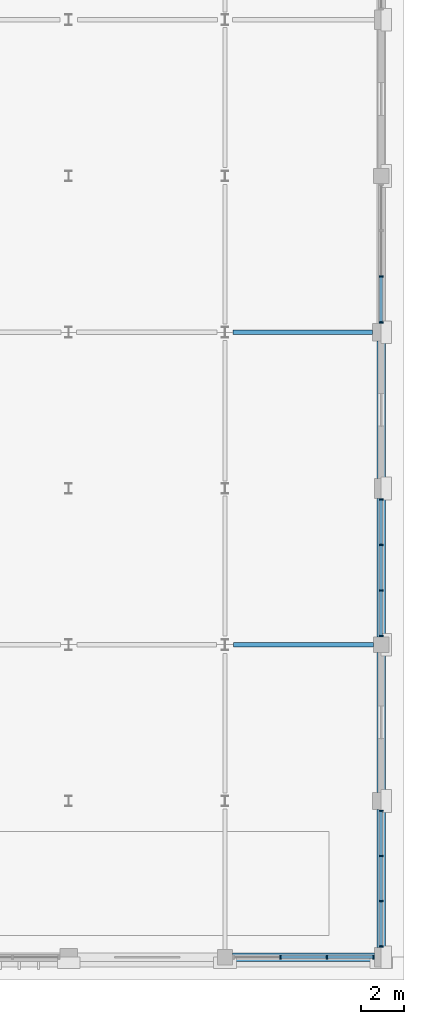
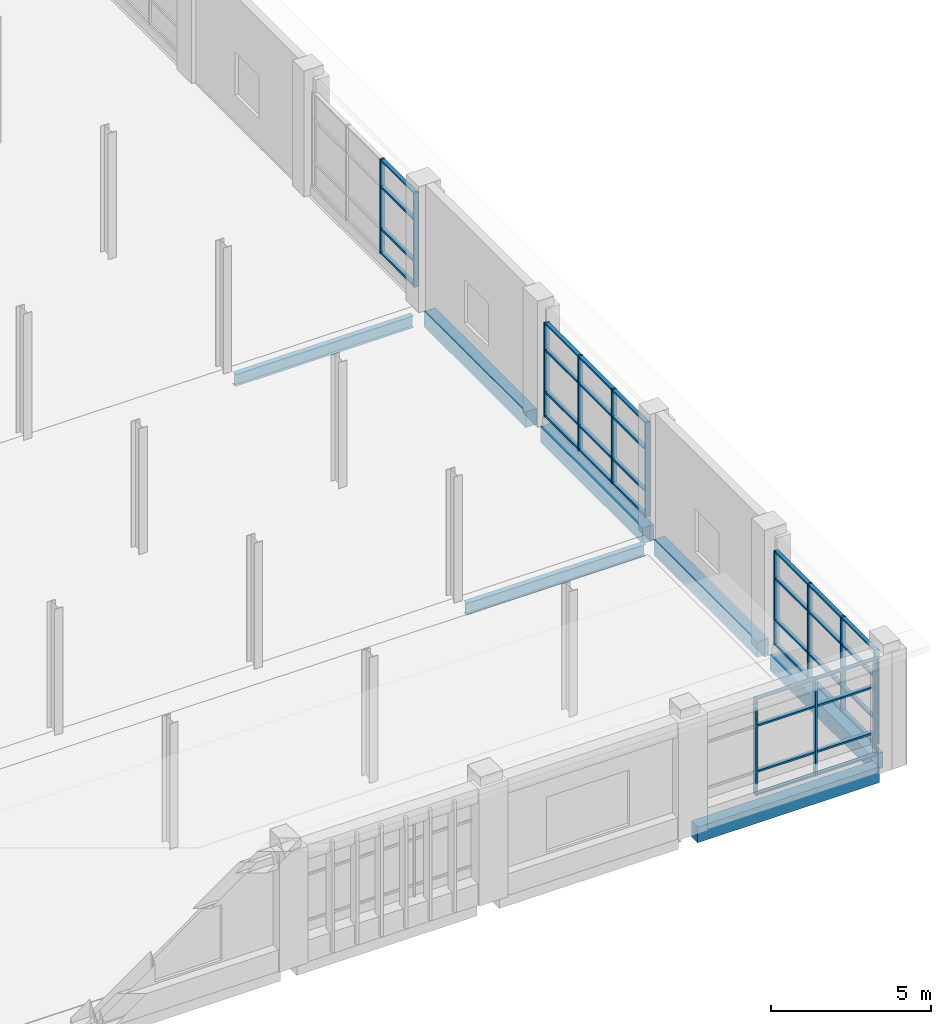
# One storey, part 41 of 82: 49 members, 7 beams, 4 elements without a shape of their own.
"""IFC4 building model written with IfcOpenShell, lengths in metres."""

from ifc_helpers import new_model, si_unit, direction, frame, origin, origin_2d, place, context, subcontext, project, spatial, rectangle, i_section, extrude, material, material_profile, profile_set, type_object, element, aggregate, save


model = new_model("IFC4")

# Units and contexts
model_context = context("Model", 3, precision=1e-05, world=origin(), true_north=direction((0.0, 1.0)))
body_context = subcontext(model_context, "Body", "Model", "MODEL_VIEW")
ifc_project = project(units=[si_unit("LENGTHUNIT", "METRE"), si_unit("AREAUNIT", "SQUARE_METRE"), si_unit("VOLUMEUNIT", "CUBIC_METRE"), si_unit("PLANEANGLEUNIT", "RADIAN"), si_unit("MASSUNIT", "GRAM", prefix="KILO")], contexts=[model_context])

# Site, building, storey
site_placement = place(None, origin())
site = spatial("IfcSite", under=ifc_project, at=site_placement, CompositionType="ELEMENT")
building_placement = place(site_placement, origin())
building = spatial("IfcBuilding", under=site, at=building_placement, Name="Sardonyx Promenade Sports Hall", CompositionType="ELEMENT")
storey_placement = place(building_placement, frame((0.0, 0.0, 11.199951171875)))
storey = spatial("IfcBuildingStorey", under=building, at=storey_placement, Name="L02", CompositionType="ELEMENT", Elevation=11.199951171875)

# Beams
ifc_material_1 = material(Name="Steel S355JR", Category="steel")
ifc_material_profile_1 = material_profile(ifc_material_1, i_section(OverallWidth=0.18994140625, OverallDepth=0.453369140625, WebThickness=0.008544921875, FlangeThickness=0.0126953125, at=origin_2d()))
ifc_profile_set_1 = profile_set([ifc_material_profile_1], Name="Steel S355JR")
beam_type_1 = type_object("IfcBeamType", Name="Bm_Girder_UB457", PredefinedType="BEAM", material=ifc_profile_set_1)
beam_1_placement = place(storey_placement, frame((158.800048828125, 14.39990234375, -0.5166015625), z_axis=(1.0, 0.0, 0.0), x_axis=(0.0, 1.0, 0.0)))
element("IfcBeam", 1, at=beam_1_placement, inside=storey, type_object=beam_type_1, Name="Beam SB01 L02 #492", PredefinedType="BEAM", context=body_context, shape_type="SweptSolid", body=[
    extrude(i_section(OverallWidth=0.18994140625, OverallDepth=0.453369140625, WebThickness=0.008544921875, FlangeThickness=0.0126953125, at=origin_2d()), origin(), (0.0, 0.0, 1.0), 6.449951171875),
])
beam_2_placement = place(storey_placement, frame((158.77490234375, 28.800048828125, -0.5166015625), z_axis=(1.0, 0.0, 0.0), x_axis=(0.0, 1.0, 0.0)))
element("IfcBeam", 2, at=beam_2_placement, inside=storey, type_object=beam_type_1, Name="Beam SB01 L02 #515", PredefinedType="BEAM", context=body_context, shape_type="SweptSolid", body=[
    extrude(i_section(OverallWidth=0.18994140625, OverallDepth=0.453369140625, WebThickness=0.008544921875, FlangeThickness=0.0126953125, at=origin_2d()), origin(), (0.0, 0.0, 1.0), 6.425048828125),
])
ifc_material_2 = material(Name="Concrete C40/50", Category="concrete")
ifc_material_profile_2 = material_profile(ifc_material_2, rectangle(XDim=0.39990234375, YDim=0.60009765625, at=origin_2d()))
ifc_profile_set_2 = profile_set([ifc_material_profile_2], Name="Concrete C40/50")
beam_type_2 = type_object("IfcBeamType", Name="Bm_Spandrel_RC600", PredefinedType="SPANDREL", material=ifc_profile_set_2)
beam_3_placement = place(storey_placement, frame((158.75, 0.0, -0.300048828125), z_axis=(1.0, 0.0, 0.0), x_axis=(0.0, 1.0, 0.0)))
element("IfcBeam", 3, at=beam_3_placement, inside=storey, type_object=beam_type_2, Name="Beam SPB1 L02 #469", PredefinedType="SPANDREL", context=body_context, shape_type="SweptSolid", body=[
    extrude(rectangle(XDim=0.39990234375, YDim=0.60009765625, at=origin_2d()), origin(), (0.0, 0.0, 1.0), 6.550048828125),
])
beam_4_placement = place(storey_placement, frame((165.60009765625, 0.449951171875, -0.300048828125), z_axis=(0.0, 1.0, 0.0), x_axis=(-1.0, 0.0, 0.0)))
element("IfcBeam", 4, at=beam_4_placement, inside=storey, type_object=beam_type_2, Name="Beam SPB1 L02 #694", PredefinedType="SPANDREL", context=body_context, shape_type="SweptSolid", body=[
    extrude(rectangle(XDim=0.39990234375, YDim=0.60009765625, at=origin_2d()), origin(), (0.0, 0.0, 1.0), 6.35009765625),
])
beam_5_placement = place(storey_placement, frame((165.60009765625, 7.60009765625, -0.300048828125), z_axis=(0.0, 1.0, 0.0), x_axis=(-1.0, 0.0, 0.0)))
element("IfcBeam", 5, at=beam_5_placement, inside=storey, type_object=beam_type_2, Name="Beam SPB1 L02 #695", PredefinedType="SPANDREL", context=body_context, shape_type="SweptSolid", body=[
    extrude(rectangle(XDim=0.39990234375, YDim=0.60009765625, at=origin_2d()), origin(), (0.0, 0.0, 1.0), 6.449951171875),
])
beam_6_placement = place(storey_placement, frame((165.60009765625, 14.75, -0.300048828125), z_axis=(0.0, 1.0, 0.0), x_axis=(-1.0, 0.0, 0.0)))
element("IfcBeam", 6, at=beam_6_placement, inside=storey, type_object=beam_type_2, Name="Beam SPB1 L02 #696", PredefinedType="SPANDREL", context=body_context, shape_type="SweptSolid", body=[
    extrude(rectangle(XDim=0.39990234375, YDim=0.60009765625, at=origin_2d()), origin(), (0.0, 0.0, 1.0), 6.39990234375),
])
beam_7_placement = place(storey_placement, frame((165.60009765625, 22.050048828125, -0.300048828125), z_axis=(0.0, 1.0, 0.0), x_axis=(-1.0, 0.0, 0.0)))
element("IfcBeam", 7, at=beam_7_placement, inside=storey, type_object=beam_type_2, Name="Beam SPB1 L02 #697", PredefinedType="SPANDREL", context=body_context, shape_type="SweptSolid", body=[
    extrude(rectangle(XDim=0.39990234375, YDim=0.60009765625, at=origin_2d()), origin(), (0.0, 0.0, 1.0), 6.349853515625),
])

# Curtain wall, members
ifc_material_3 = material(Name="Aluminium 6063-T6", Category="aluminium")
curtain_wall_type_1 = type_object("IfcCurtainWallType", Name="CW_South_L02_640", PredefinedType="USERDEFINED", material=ifc_material_3)
curtain_wall_1_placement = place(storey_placement, origin())
curtain_wall_1 = element("IfcCurtainWall", 8, at=curtain_wall_1_placement, inside=storey, type_object=curtain_wall_type_1, Name="Curtain wall CW01 cw:L02:029", ObjectType="CURTAIN WALL", PredefinedType="USERDEFINED")
ifc_material_4 = material(Name="Aluminium 6063-T6", Category="aluminium")
ifc_material_profile_3 = material_profile(ifc_material_4, rectangle(XDim=0.06494140625, YDim=0.175048828125, at=origin_2d()))
ifc_profile_set_3 = profile_set([ifc_material_profile_3], Name="Aluminium 6063-T6")
member_type_1 = type_object("IfcMemberType", Name="CW_Mull_175", PredefinedType="MULLION", material=ifc_profile_set_3)
member_1_placement = place(storey_placement, frame((165.24755859375, 0.0, 0.35009765625), z_axis=(0.0, 0.0, 1.0), x_axis=(-1.0, 0.0, 0.0)))
member_1 = element("IfcMember", 9, at=member_1_placement, type_object=member_type_1, Name="Mullion CM02 cw:L02:029 #1", PredefinedType="MULLION", context=body_context, shape_type="SweptSolid", body=[
    extrude(rectangle(XDim=0.06494140625, YDim=0.175048828125, at=origin_2d()), origin(), (0.0, 0.0, 1.0), 3.699951171875),
])
member_2_placement = place(storey_placement, frame((163.09912109375, 0.0, 0.35009765625), z_axis=(0.0, 0.0, 1.0), x_axis=(-1.0, 0.0, 0.0)))
member_2 = element("IfcMember", 10, at=member_2_placement, type_object=member_type_1, Name="Mullion CM02 cw:L02:029 #2", PredefinedType="MULLION", context=body_context, shape_type="SweptSolid", body=[
    extrude(rectangle(XDim=0.06494140625, YDim=0.175048828125, at=origin_2d()), origin(), (0.0, 0.0, 1.0), 3.699951171875),
])
member_3_placement = place(storey_placement, frame((160.950927734375, 0.0, 0.35009765625), z_axis=(0.0, 0.0, 1.0), x_axis=(-1.0, 0.0, 0.0)))
member_3 = element("IfcMember", 11, at=member_3_placement, type_object=member_type_1, Name="Mullion CM02 cw:L02:029 #3", PredefinedType="MULLION", context=body_context, shape_type="SweptSolid", body=[
    extrude(rectangle(XDim=0.06494140625, YDim=0.175048828125, at=origin_2d()), origin(), (0.0, 0.0, 1.0), 3.699951171875),
])

ifc_material_5 = material(Name="Aluminium 6063-T6", Category="aluminium")
curtain_wall_type_2 = type_object("IfcCurtainWallType", Name="CW_Prac_East_L02", PredefinedType="USERDEFINED", material=ifc_material_5)
curtain_wall_2_placement = place(storey_placement, origin())
curtain_wall_2 = element("IfcCurtainWall", 12, at=curtain_wall_2_placement, inside=storey, type_object=curtain_wall_type_2, Name="Curtain wall CW03 cw:L02:057", ObjectType="CURTAIN WALL", PredefinedType="USERDEFINED")
member_4_placement = place(storey_placement, frame((165.60009765625, 31.367431640625, 0.35009765625), z_axis=(0.0, 0.0, 1.0), x_axis=(0.0, -1.0, 0.0)))
member_4 = element("IfcMember", 13, at=member_4_placement, type_object=member_type_1, Name="Mullion CM02 cw:L02:057 #3", PredefinedType="MULLION", context=body_context, shape_type="SweptSolid", body=[
    extrude(rectangle(XDim=0.06494140625, YDim=0.175048828125, at=origin_2d()), origin(), (0.0, 0.0, 1.0), 3.599853515625),
])
member_5_placement = place(storey_placement, frame((165.60009765625, 29.25244140625, 0.35009765625), z_axis=(0.0, 0.0, 1.0), x_axis=(0.0, -1.0, 0.0)))
member_5 = element("IfcMember", 14, at=member_5_placement, type_object=member_type_1, Name="Mullion CM02 cw:L02:057 #4", PredefinedType="MULLION", context=body_context, shape_type="SweptSolid", body=[
    extrude(rectangle(XDim=0.06494140625, YDim=0.175048828125, at=origin_2d()), origin(), (0.0, 0.0, 1.0), 3.599853515625),
])

curtain_wall_3_placement = place(storey_placement, origin())
curtain_wall_3 = element("IfcCurtainWall", 15, at=curtain_wall_3_placement, inside=storey, type_object=curtain_wall_type_2, Name="Curtain wall CW03 cw:L02:058", ObjectType="CURTAIN WALL", PredefinedType="USERDEFINED")
member_6_placement = place(storey_placement, frame((165.60009765625, 21.097412109375, 0.35009765625), z_axis=(0.0, 0.0, 1.0), x_axis=(0.0, -1.0, 0.0)))
member_6 = element("IfcMember", 16, at=member_6_placement, type_object=member_type_1, Name="Mullion CM02 cw:L02:058 #1", PredefinedType="MULLION", context=body_context, shape_type="SweptSolid", body=[
    extrude(rectangle(XDim=0.06494140625, YDim=0.175048828125, at=origin_2d()), origin(), (0.0, 0.0, 1.0), 3.599853515625),
])
member_7_placement = place(storey_placement, frame((165.60009765625, 18.999267578125, 0.35009765625), z_axis=(0.0, 0.0, 1.0), x_axis=(0.0, -1.0, 0.0)))
member_7 = element("IfcMember", 17, at=member_7_placement, type_object=member_type_1, Name="Mullion CM02 cw:L02:058 #2", PredefinedType="MULLION", context=body_context, shape_type="SweptSolid", body=[
    extrude(rectangle(XDim=0.06494140625, YDim=0.175048828125, at=origin_2d()), origin(), (0.0, 0.0, 1.0), 3.599853515625),
])
member_8_placement = place(storey_placement, frame((165.60009765625, 16.90087890625, 0.35009765625), z_axis=(0.0, 0.0, 1.0), x_axis=(0.0, -1.0, 0.0)))
member_8 = element("IfcMember", 18, at=member_8_placement, type_object=member_type_1, Name="Mullion CM02 cw:L02:058 #3", PredefinedType="MULLION", context=body_context, shape_type="SweptSolid", body=[
    extrude(rectangle(XDim=0.06494140625, YDim=0.175048828125, at=origin_2d()), origin(), (0.0, 0.0, 1.0), 3.599853515625),
])
member_9_placement = place(storey_placement, frame((165.60009765625, 14.802490234375, 0.35009765625), z_axis=(0.0, 0.0, 1.0), x_axis=(0.0, -1.0, 0.0)))
member_9 = element("IfcMember", 19, at=member_9_placement, type_object=member_type_1, Name="Mullion CM02 cw:L02:058 #4", PredefinedType="MULLION", context=body_context, shape_type="SweptSolid", body=[
    extrude(rectangle(XDim=0.06494140625, YDim=0.175048828125, at=origin_2d()), origin(), (0.0, 0.0, 1.0), 3.599853515625),
])

curtain_wall_4_placement = place(storey_placement, origin())
curtain_wall_4 = element("IfcCurtainWall", 20, at=curtain_wall_4_placement, inside=storey, type_object=curtain_wall_type_2, Name="Curtain wall CW03 cw:L02:059", ObjectType="CURTAIN WALL", PredefinedType="USERDEFINED")
member_10_placement = place(storey_placement, frame((165.60009765625, 6.74755859375, 0.35009765625), z_axis=(0.0, 0.0, 1.0), x_axis=(0.0, -1.0, 0.0)))
member_10 = element("IfcMember", 21, at=member_10_placement, type_object=member_type_1, Name="Mullion CM02 cw:L02:059 #1", PredefinedType="MULLION", context=body_context, shape_type="SweptSolid", body=[
    extrude(rectangle(XDim=0.06494140625, YDim=0.175048828125, at=origin_2d()), origin(), (0.0, 0.0, 1.0), 3.599853515625),
])
member_11_placement = place(storey_placement, frame((165.60009765625, 4.665771484375, 0.35009765625), z_axis=(0.0, 0.0, 1.0), x_axis=(0.0, -1.0, 0.0)))
member_11 = element("IfcMember", 22, at=member_11_placement, type_object=member_type_1, Name="Mullion CM02 cw:L02:059 #2", PredefinedType="MULLION", context=body_context, shape_type="SweptSolid", body=[
    extrude(rectangle(XDim=0.06494140625, YDim=0.175048828125, at=origin_2d()), origin(), (0.0, 0.0, 1.0), 3.599853515625),
])
member_12_placement = place(storey_placement, frame((165.60009765625, 2.584228515625, 0.35009765625), z_axis=(0.0, 0.0, 1.0), x_axis=(0.0, -1.0, 0.0)))
member_12 = element("IfcMember", 23, at=member_12_placement, type_object=member_type_1, Name="Mullion CM02 cw:L02:059 #3", PredefinedType="MULLION", context=body_context, shape_type="SweptSolid", body=[
    extrude(rectangle(XDim=0.06494140625, YDim=0.175048828125, at=origin_2d()), origin(), (0.0, 0.0, 1.0), 3.599853515625),
])
member_13_placement = place(storey_placement, frame((165.60009765625, 0.50244140625, 0.35009765625), z_axis=(0.0, 0.0, 1.0), x_axis=(0.0, -1.0, 0.0)))
member_13 = element("IfcMember", 24, at=member_13_placement, type_object=member_type_1, Name="Mullion CM02 cw:L02:059 #4", PredefinedType="MULLION", context=body_context, shape_type="SweptSolid", body=[
    extrude(rectangle(XDim=0.06494140625, YDim=0.175048828125, at=origin_2d()), origin(), (0.0, 0.0, 1.0), 3.599853515625),
])

# Member
ifc_material_6 = material(Name="Aluminium 6063-T6", Category="aluminium")
ifc_material_profile_4 = material_profile(ifc_material_6, rectangle(XDim=0.06494140625, YDim=0.139892578125, at=origin_2d()))
ifc_profile_set_4 = profile_set([ifc_material_profile_4], Name="Aluminium 6063-T6")
member_type_2 = type_object("IfcMemberType", Name="CW_Tran_140", PredefinedType="USERDEFINED", material=ifc_profile_set_4)
member_14_placement = place(storey_placement, frame((165.215087890625, 0.0, 0.382568359375), z_axis=(-1.0, 0.0, 0.0), x_axis=(0.0, 0.0, 1.0)))
member_14 = element("IfcMember", 25, at=member_14_placement, type_object=member_type_2, Name="Transom CT02 cw:L02:029 #1", ObjectType="TRANSOM", PredefinedType="USERDEFINED", context=body_context, shape_type="SweptSolid", body=[
    extrude(rectangle(XDim=0.06494140625, YDim=0.139892578125, at=origin_2d()), origin(), (0.0, 0.0, 1.0), 2.08349609375),
])

member_15_placement = place(storey_placement, frame((165.215087890625, 0.0, 1.25), z_axis=(-1.0, 0.0, 0.0), x_axis=(0.0, 0.0, 1.0)))
member_15 = element("IfcMember", 26, at=member_15_placement, type_object=member_type_2, Name="Transom CT02 cw:L02:029 #2", ObjectType="TRANSOM", PredefinedType="USERDEFINED", context=body_context, shape_type="SweptSolid", body=[
    extrude(rectangle(XDim=0.06494140625, YDim=0.139892578125, at=origin_2d()), origin(), (0.0, 0.0, 1.0), 2.08349609375),
])

member_16_placement = place(storey_placement, frame((165.215087890625, 0.0, 3.0), z_axis=(-1.0, 0.0, 0.0), x_axis=(0.0, 0.0, 1.0)))
member_16 = element("IfcMember", 27, at=member_16_placement, type_object=member_type_2, Name="Transom CT02 cw:L02:029 #3", ObjectType="TRANSOM", PredefinedType="USERDEFINED", context=body_context, shape_type="SweptSolid", body=[
    extrude(rectangle(XDim=0.06494140625, YDim=0.139892578125, at=origin_2d()), origin(), (0.0, 0.0, 1.0), 2.08349609375),
])

member_17_placement = place(storey_placement, frame((165.215087890625, 0.0, 4.017578125), z_axis=(-1.0, 0.0, 0.0), x_axis=(0.0, 0.0, 1.0)))
member_17 = element("IfcMember", 28, at=member_17_placement, type_object=member_type_2, Name="Transom CT02 cw:L02:029 #4", ObjectType="TRANSOM", PredefinedType="USERDEFINED", context=body_context, shape_type="SweptSolid", body=[
    extrude(rectangle(XDim=0.06494140625, YDim=0.139892578125, at=origin_2d()), origin(), (0.0, 0.0, 1.0), 2.08349609375),
])

member_18_placement = place(storey_placement, frame((163.066650390625, 0.0, 0.382568359375), z_axis=(-1.0, 0.0, 0.0), x_axis=(0.0, 0.0, 1.0)))
member_18 = element("IfcMember", 29, at=member_18_placement, type_object=member_type_2, Name="Transom CT02 cw:L02:029 #5", ObjectType="TRANSOM", PredefinedType="USERDEFINED", context=body_context, shape_type="SweptSolid", body=[
    extrude(rectangle(XDim=0.06494140625, YDim=0.139892578125, at=origin_2d()), origin(), (0.0, 0.0, 1.0), 2.083251953125),
])

member_19_placement = place(storey_placement, frame((163.066650390625, 0.0, 1.25), z_axis=(-1.0, 0.0, 0.0), x_axis=(0.0, 0.0, 1.0)))
member_19 = element("IfcMember", 30, at=member_19_placement, type_object=member_type_2, Name="Transom CT02 cw:L02:029 #6", ObjectType="TRANSOM", PredefinedType="USERDEFINED", context=body_context, shape_type="SweptSolid", body=[
    extrude(rectangle(XDim=0.06494140625, YDim=0.139892578125, at=origin_2d()), origin(), (0.0, 0.0, 1.0), 2.083251953125),
])

member_20_placement = place(storey_placement, frame((163.066650390625, 0.0, 3.0), z_axis=(-1.0, 0.0, 0.0), x_axis=(0.0, 0.0, 1.0)))
member_20 = element("IfcMember", 31, at=member_20_placement, type_object=member_type_2, Name="Transom CT02 cw:L02:029 #7", ObjectType="TRANSOM", PredefinedType="USERDEFINED", context=body_context, shape_type="SweptSolid", body=[
    extrude(rectangle(XDim=0.06494140625, YDim=0.139892578125, at=origin_2d()), origin(), (0.0, 0.0, 1.0), 2.083251953125),
])

member_21_placement = place(storey_placement, frame((163.066650390625, 0.0, 4.017578125), z_axis=(-1.0, 0.0, 0.0), x_axis=(0.0, 0.0, 1.0)))
member_21 = element("IfcMember", 32, at=member_21_placement, type_object=member_type_2, Name="Transom CT02 cw:L02:029 #8", ObjectType="TRANSOM", PredefinedType="USERDEFINED", context=body_context, shape_type="SweptSolid", body=[
    extrude(rectangle(XDim=0.06494140625, YDim=0.139892578125, at=origin_2d()), origin(), (0.0, 0.0, 1.0), 2.083251953125),
])

aggregate(curtain_wall_1, [member_1, member_2, member_3, member_14, member_15, member_16, member_17, member_18, member_19, member_20, member_21])

member_22_placement = place(storey_placement, frame((165.60009765625, 31.3349609375, 0.382568359375), z_axis=(0.0, -1.0, 0.0), x_axis=(0.0, 0.0, 1.0)))
member_22 = element("IfcMember", 33, at=member_22_placement, type_object=member_type_2, Name="Transom CT02 cw:L02:057 #9", ObjectType="TRANSOM", PredefinedType="USERDEFINED", context=body_context, shape_type="SweptSolid", body=[
    extrude(rectangle(XDim=0.06494140625, YDim=0.139892578125, at=origin_2d()), origin(), (0.0, 0.0, 1.0), 2.050048828125),
])

member_23_placement = place(storey_placement, frame((165.60009765625, 31.3349609375, 1.300048828125), z_axis=(0.0, -1.0, 0.0), x_axis=(0.0, 0.0, 1.0)))
member_23 = element("IfcMember", 34, at=member_23_placement, type_object=member_type_2, Name="Transom CT02 cw:L02:057 #10", ObjectType="TRANSOM", PredefinedType="USERDEFINED", context=body_context, shape_type="SweptSolid", body=[
    extrude(rectangle(XDim=0.06494140625, YDim=0.139892578125, at=origin_2d()), origin(), (0.0, 0.0, 1.0), 2.050048828125),
])

member_24_placement = place(storey_placement, frame((165.60009765625, 31.3349609375, 2.900146484375), z_axis=(0.0, -1.0, 0.0), x_axis=(0.0, 0.0, 1.0)))
member_24 = element("IfcMember", 35, at=member_24_placement, type_object=member_type_2, Name="Transom CT02 cw:L02:057 #11", ObjectType="TRANSOM", PredefinedType="USERDEFINED", context=body_context, shape_type="SweptSolid", body=[
    extrude(rectangle(XDim=0.06494140625, YDim=0.139892578125, at=origin_2d()), origin(), (0.0, 0.0, 1.0), 2.050048828125),
])

member_25_placement = place(storey_placement, frame((165.60009765625, 31.3349609375, 3.91748046875), z_axis=(0.0, -1.0, 0.0), x_axis=(0.0, 0.0, 1.0)))
member_25 = element("IfcMember", 36, at=member_25_placement, type_object=member_type_2, Name="Transom CT02 cw:L02:057 #12", ObjectType="TRANSOM", PredefinedType="USERDEFINED", context=body_context, shape_type="SweptSolid", body=[
    extrude(rectangle(XDim=0.06494140625, YDim=0.139892578125, at=origin_2d()), origin(), (0.0, 0.0, 1.0), 2.050048828125),
])

aggregate(curtain_wall_2, [member_4, member_5, member_22, member_23, member_24, member_25])

member_26_placement = place(storey_placement, frame((165.60009765625, 21.06494140625, 0.382568359375), z_axis=(0.0, -1.0, 0.0), x_axis=(0.0, 0.0, 1.0)))
member_26 = element("IfcMember", 37, at=member_26_placement, type_object=member_type_2, Name="Transom CT02 cw:L02:058 #1", ObjectType="TRANSOM", PredefinedType="USERDEFINED", context=body_context, shape_type="SweptSolid", body=[
    extrude(rectangle(XDim=0.06494140625, YDim=0.139892578125, at=origin_2d()), origin(), (0.0, 0.0, 1.0), 2.033203125),
])

member_27_placement = place(storey_placement, frame((165.60009765625, 21.06494140625, 1.300048828125), z_axis=(0.0, -1.0, 0.0), x_axis=(0.0, 0.0, 1.0)))
member_27 = element("IfcMember", 38, at=member_27_placement, type_object=member_type_2, Name="Transom CT02 cw:L02:058 #2", ObjectType="TRANSOM", PredefinedType="USERDEFINED", context=body_context, shape_type="SweptSolid", body=[
    extrude(rectangle(XDim=0.06494140625, YDim=0.139892578125, at=origin_2d()), origin(), (0.0, 0.0, 1.0), 2.033203125),
])

member_28_placement = place(storey_placement, frame((165.60009765625, 21.06494140625, 2.900146484375), z_axis=(0.0, -1.0, 0.0), x_axis=(0.0, 0.0, 1.0)))
member_28 = element("IfcMember", 39, at=member_28_placement, type_object=member_type_2, Name="Transom CT02 cw:L02:058 #3", ObjectType="TRANSOM", PredefinedType="USERDEFINED", context=body_context, shape_type="SweptSolid", body=[
    extrude(rectangle(XDim=0.06494140625, YDim=0.139892578125, at=origin_2d()), origin(), (0.0, 0.0, 1.0), 2.033203125),
])

member_29_placement = place(storey_placement, frame((165.60009765625, 21.06494140625, 3.91748046875), z_axis=(0.0, -1.0, 0.0), x_axis=(0.0, 0.0, 1.0)))
member_29 = element("IfcMember", 40, at=member_29_placement, type_object=member_type_2, Name="Transom CT02 cw:L02:058 #4", ObjectType="TRANSOM", PredefinedType="USERDEFINED", context=body_context, shape_type="SweptSolid", body=[
    extrude(rectangle(XDim=0.06494140625, YDim=0.139892578125, at=origin_2d()), origin(), (0.0, 0.0, 1.0), 2.033203125),
])

member_30_placement = place(storey_placement, frame((165.60009765625, 18.966552734375, 0.382568359375), z_axis=(0.0, -1.0, 0.0), x_axis=(0.0, 0.0, 1.0)))
member_30 = element("IfcMember", 41, at=member_30_placement, type_object=member_type_2, Name="Transom CT02 cw:L02:058 #5", ObjectType="TRANSOM", PredefinedType="USERDEFINED", context=body_context, shape_type="SweptSolid", body=[
    extrude(rectangle(XDim=0.06494140625, YDim=0.139892578125, at=origin_2d()), origin(), (0.0, 0.0, 1.0), 2.033203125),
])

member_31_placement = place(storey_placement, frame((165.60009765625, 18.966552734375, 1.300048828125), z_axis=(0.0, -1.0, 0.0), x_axis=(0.0, 0.0, 1.0)))
member_31 = element("IfcMember", 42, at=member_31_placement, type_object=member_type_2, Name="Transom CT02 cw:L02:058 #6", ObjectType="TRANSOM", PredefinedType="USERDEFINED", context=body_context, shape_type="SweptSolid", body=[
    extrude(rectangle(XDim=0.06494140625, YDim=0.139892578125, at=origin_2d()), origin(), (0.0, 0.0, 1.0), 2.033203125),
])

member_32_placement = place(storey_placement, frame((165.60009765625, 18.966552734375, 2.900146484375), z_axis=(0.0, -1.0, 0.0), x_axis=(0.0, 0.0, 1.0)))
member_32 = element("IfcMember", 43, at=member_32_placement, type_object=member_type_2, Name="Transom CT02 cw:L02:058 #7", ObjectType="TRANSOM", PredefinedType="USERDEFINED", context=body_context, shape_type="SweptSolid", body=[
    extrude(rectangle(XDim=0.06494140625, YDim=0.139892578125, at=origin_2d()), origin(), (0.0, 0.0, 1.0), 2.033203125),
])

member_33_placement = place(storey_placement, frame((165.60009765625, 18.966552734375, 3.91748046875), z_axis=(0.0, -1.0, 0.0), x_axis=(0.0, 0.0, 1.0)))
member_33 = element("IfcMember", 44, at=member_33_placement, type_object=member_type_2, Name="Transom CT02 cw:L02:058 #8", ObjectType="TRANSOM", PredefinedType="USERDEFINED", context=body_context, shape_type="SweptSolid", body=[
    extrude(rectangle(XDim=0.06494140625, YDim=0.139892578125, at=origin_2d()), origin(), (0.0, 0.0, 1.0), 2.033203125),
])

member_34_placement = place(storey_placement, frame((165.60009765625, 16.868408203125, 0.382568359375), z_axis=(0.0, -1.0, 0.0), x_axis=(0.0, 0.0, 1.0)))
member_34 = element("IfcMember", 45, at=member_34_placement, type_object=member_type_2, Name="Transom CT02 cw:L02:058 #9", ObjectType="TRANSOM", PredefinedType="USERDEFINED", context=body_context, shape_type="SweptSolid", body=[
    extrude(rectangle(XDim=0.06494140625, YDim=0.139892578125, at=origin_2d()), origin(), (0.0, 0.0, 1.0), 2.033447265625),
])

member_35_placement = place(storey_placement, frame((165.60009765625, 16.868408203125, 1.300048828125), z_axis=(0.0, -1.0, 0.0), x_axis=(0.0, 0.0, 1.0)))
member_35 = element("IfcMember", 46, at=member_35_placement, type_object=member_type_2, Name="Transom CT02 cw:L02:058 #10", ObjectType="TRANSOM", PredefinedType="USERDEFINED", context=body_context, shape_type="SweptSolid", body=[
    extrude(rectangle(XDim=0.06494140625, YDim=0.139892578125, at=origin_2d()), origin(), (0.0, 0.0, 1.0), 2.033447265625),
])

member_36_placement = place(storey_placement, frame((165.60009765625, 16.868408203125, 2.900146484375), z_axis=(0.0, -1.0, 0.0), x_axis=(0.0, 0.0, 1.0)))
member_36 = element("IfcMember", 47, at=member_36_placement, type_object=member_type_2, Name="Transom CT02 cw:L02:058 #11", ObjectType="TRANSOM", PredefinedType="USERDEFINED", context=body_context, shape_type="SweptSolid", body=[
    extrude(rectangle(XDim=0.06494140625, YDim=0.139892578125, at=origin_2d()), origin(), (0.0, 0.0, 1.0), 2.033447265625),
])

member_37_placement = place(storey_placement, frame((165.60009765625, 16.868408203125, 3.91748046875), z_axis=(0.0, -1.0, 0.0), x_axis=(0.0, 0.0, 1.0)))
member_37 = element("IfcMember", 48, at=member_37_placement, type_object=member_type_2, Name="Transom CT02 cw:L02:058 #12", ObjectType="TRANSOM", PredefinedType="USERDEFINED", context=body_context, shape_type="SweptSolid", body=[
    extrude(rectangle(XDim=0.06494140625, YDim=0.139892578125, at=origin_2d()), origin(), (0.0, 0.0, 1.0), 2.033447265625),
])

aggregate(curtain_wall_3, [member_6, member_7, member_8, member_9, member_26, member_27, member_28, member_29, member_30, member_31, member_32, member_33, member_34, member_35, member_36, member_37])

member_38_placement = place(storey_placement, frame((165.60009765625, 6.715087890625, 0.382568359375), z_axis=(0.0, -1.0, 0.0), x_axis=(0.0, 0.0, 1.0)))
member_38 = element("IfcMember", 49, at=member_38_placement, type_object=member_type_2, Name="Transom CT02 cw:L02:059 #1", ObjectType="TRANSOM", PredefinedType="USERDEFINED", context=body_context, shape_type="SweptSolid", body=[
    extrude(rectangle(XDim=0.06494140625, YDim=0.139892578125, at=origin_2d()), origin(), (0.0, 0.0, 1.0), 2.016845703125),
])

member_39_placement = place(storey_placement, frame((165.60009765625, 6.715087890625, 1.300048828125), z_axis=(0.0, -1.0, 0.0), x_axis=(0.0, 0.0, 1.0)))
member_39 = element("IfcMember", 50, at=member_39_placement, type_object=member_type_2, Name="Transom CT02 cw:L02:059 #2", ObjectType="TRANSOM", PredefinedType="USERDEFINED", context=body_context, shape_type="SweptSolid", body=[
    extrude(rectangle(XDim=0.06494140625, YDim=0.139892578125, at=origin_2d()), origin(), (0.0, 0.0, 1.0), 2.016845703125),
])

member_40_placement = place(storey_placement, frame((165.60009765625, 6.715087890625, 2.900146484375), z_axis=(0.0, -1.0, 0.0), x_axis=(0.0, 0.0, 1.0)))
member_40 = element("IfcMember", 51, at=member_40_placement, type_object=member_type_2, Name="Transom CT02 cw:L02:059 #3", ObjectType="TRANSOM", PredefinedType="USERDEFINED", context=body_context, shape_type="SweptSolid", body=[
    extrude(rectangle(XDim=0.06494140625, YDim=0.139892578125, at=origin_2d()), origin(), (0.0, 0.0, 1.0), 2.016845703125),
])

member_41_placement = place(storey_placement, frame((165.60009765625, 6.715087890625, 3.91748046875), z_axis=(0.0, -1.0, 0.0), x_axis=(0.0, 0.0, 1.0)))
member_41 = element("IfcMember", 52, at=member_41_placement, type_object=member_type_2, Name="Transom CT02 cw:L02:059 #4", ObjectType="TRANSOM", PredefinedType="USERDEFINED", context=body_context, shape_type="SweptSolid", body=[
    extrude(rectangle(XDim=0.06494140625, YDim=0.139892578125, at=origin_2d()), origin(), (0.0, 0.0, 1.0), 2.016845703125),
])

member_42_placement = place(storey_placement, frame((165.60009765625, 4.63330078125, 0.382568359375), z_axis=(0.0, -1.0, 0.0), x_axis=(0.0, 0.0, 1.0)))
member_42 = element("IfcMember", 53, at=member_42_placement, type_object=member_type_2, Name="Transom CT02 cw:L02:059 #5", ObjectType="TRANSOM", PredefinedType="USERDEFINED", context=body_context, shape_type="SweptSolid", body=[
    extrude(rectangle(XDim=0.06494140625, YDim=0.139892578125, at=origin_2d()), origin(), (0.0, 0.0, 1.0), 2.0166015625),
])

member_43_placement = place(storey_placement, frame((165.60009765625, 4.63330078125, 1.300048828125), z_axis=(0.0, -1.0, 0.0), x_axis=(0.0, 0.0, 1.0)))
member_43 = element("IfcMember", 54, at=member_43_placement, type_object=member_type_2, Name="Transom CT02 cw:L02:059 #6", ObjectType="TRANSOM", PredefinedType="USERDEFINED", context=body_context, shape_type="SweptSolid", body=[
    extrude(rectangle(XDim=0.06494140625, YDim=0.139892578125, at=origin_2d()), origin(), (0.0, 0.0, 1.0), 2.0166015625),
])

member_44_placement = place(storey_placement, frame((165.60009765625, 4.63330078125, 2.900146484375), z_axis=(0.0, -1.0, 0.0), x_axis=(0.0, 0.0, 1.0)))
member_44 = element("IfcMember", 55, at=member_44_placement, type_object=member_type_2, Name="Transom CT02 cw:L02:059 #7", ObjectType="TRANSOM", PredefinedType="USERDEFINED", context=body_context, shape_type="SweptSolid", body=[
    extrude(rectangle(XDim=0.06494140625, YDim=0.139892578125, at=origin_2d()), origin(), (0.0, 0.0, 1.0), 2.0166015625),
])

member_45_placement = place(storey_placement, frame((165.60009765625, 4.63330078125, 3.91748046875), z_axis=(0.0, -1.0, 0.0), x_axis=(0.0, 0.0, 1.0)))
member_45 = element("IfcMember", 56, at=member_45_placement, type_object=member_type_2, Name="Transom CT02 cw:L02:059 #8", ObjectType="TRANSOM", PredefinedType="USERDEFINED", context=body_context, shape_type="SweptSolid", body=[
    extrude(rectangle(XDim=0.06494140625, YDim=0.139892578125, at=origin_2d()), origin(), (0.0, 0.0, 1.0), 2.0166015625),
])

member_46_placement = place(storey_placement, frame((165.60009765625, 2.5517578125, 0.382568359375), z_axis=(0.0, -1.0, 0.0), x_axis=(0.0, 0.0, 1.0)))
member_46 = element("IfcMember", 57, at=member_46_placement, type_object=member_type_2, Name="Transom CT02 cw:L02:059 #9", ObjectType="TRANSOM", PredefinedType="USERDEFINED", context=body_context, shape_type="SweptSolid", body=[
    extrude(rectangle(XDim=0.06494140625, YDim=0.139892578125, at=origin_2d()), origin(), (0.0, 0.0, 1.0), 2.016845703125),
])

member_47_placement = place(storey_placement, frame((165.60009765625, 2.5517578125, 1.300048828125), z_axis=(0.0, -1.0, 0.0), x_axis=(0.0, 0.0, 1.0)))
member_47 = element("IfcMember", 58, at=member_47_placement, type_object=member_type_2, Name="Transom CT02 cw:L02:059 #10", ObjectType="TRANSOM", PredefinedType="USERDEFINED", context=body_context, shape_type="SweptSolid", body=[
    extrude(rectangle(XDim=0.06494140625, YDim=0.139892578125, at=origin_2d()), origin(), (0.0, 0.0, 1.0), 2.016845703125),
])

member_48_placement = place(storey_placement, frame((165.60009765625, 2.5517578125, 2.900146484375), z_axis=(0.0, -1.0, 0.0), x_axis=(0.0, 0.0, 1.0)))
member_48 = element("IfcMember", 59, at=member_48_placement, type_object=member_type_2, Name="Transom CT02 cw:L02:059 #11", ObjectType="TRANSOM", PredefinedType="USERDEFINED", context=body_context, shape_type="SweptSolid", body=[
    extrude(rectangle(XDim=0.06494140625, YDim=0.139892578125, at=origin_2d()), origin(), (0.0, 0.0, 1.0), 2.016845703125),
])

member_49_placement = place(storey_placement, frame((165.60009765625, 2.5517578125, 3.91748046875), z_axis=(0.0, -1.0, 0.0), x_axis=(0.0, 0.0, 1.0)))
member_49 = element("IfcMember", 60, at=member_49_placement, type_object=member_type_2, Name="Transom CT02 cw:L02:059 #12", ObjectType="TRANSOM", PredefinedType="USERDEFINED", context=body_context, shape_type="SweptSolid", body=[
    extrude(rectangle(XDim=0.06494140625, YDim=0.139892578125, at=origin_2d()), origin(), (0.0, 0.0, 1.0), 2.016845703125),
])

aggregate(curtain_wall_4, [member_10, member_11, member_12, member_13, member_38, member_39, member_40, member_41, member_42, member_43, member_44, member_45, member_46, member_47, member_48, member_49])

save(model, "model.ifc")
